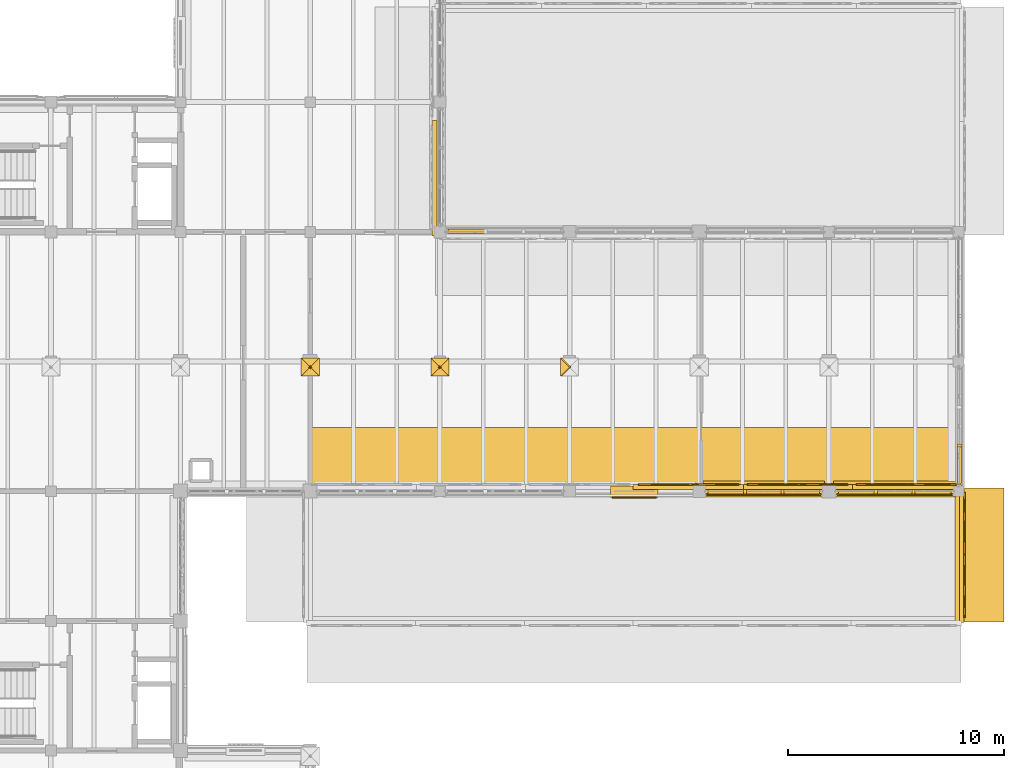
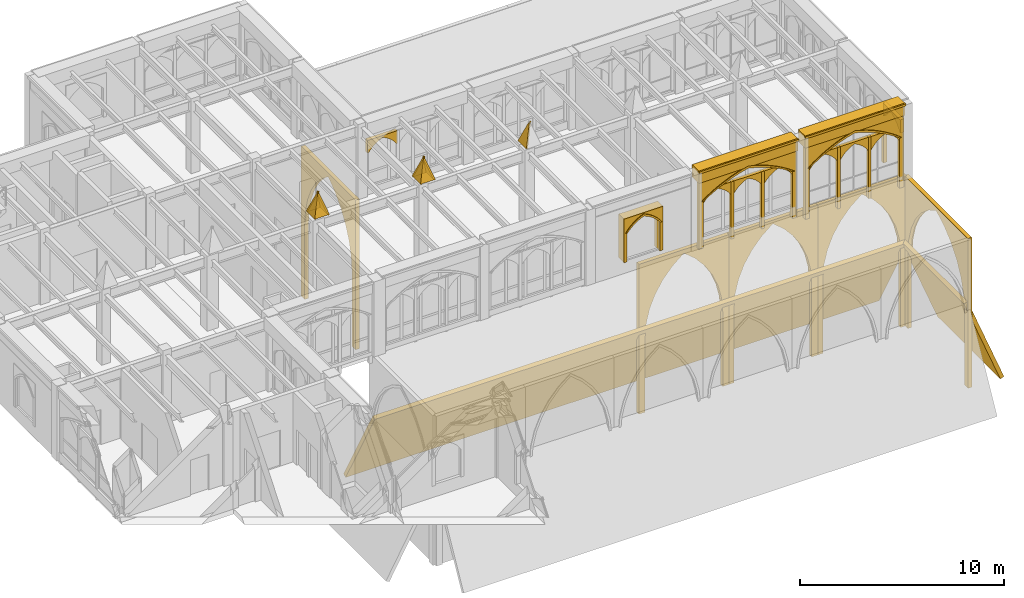
# One storey, part 138 of 143: 43 coverings.
"""IFC4 building model written with IfcOpenShell, lengths in metres."""

from ifc_helpers import new_model, si_unit, direction, frame, origin, origin_2d, place, context, subcontext, project, spatial, polyline, rectangle, outline, extrude, material, type_object, element, save


model = new_model("IFC4")

# Units and contexts
model_context = context("Model", 3, precision=1e-05, world=origin(), true_north=direction((0.0, 1.0)))
body_context = subcontext(model_context, "Body", "Model", "MODEL_VIEW")
ifc_project = project(units=[si_unit("LENGTHUNIT", "METRE"), si_unit("AREAUNIT", "SQUARE_METRE"), si_unit("VOLUMEUNIT", "CUBIC_METRE"), si_unit("PLANEANGLEUNIT", "RADIAN"), si_unit("MASSUNIT", "GRAM", prefix="KILO")], contexts=[model_context])

# Site, building, storey
site_placement = place(None, origin())
site = spatial("IfcSite", under=ifc_project, at=site_placement, CompositionType="ELEMENT")
building_placement = place(site_placement, origin())
building = spatial("IfcBuilding", under=site, at=building_placement, Name="Cumevento Cable Car Station", CompositionType="ELEMENT")
storey_placement = place(building_placement, frame((0.0, 0.0, 9.0)))
storey = spatial("IfcBuildingStorey", under=building, at=storey_placement, Name="L03", CompositionType="ELEMENT", Elevation=9.0)

# Coverings
ifc_material = material(Name="Gnaisse Facoidal Stone Ashlar 85 MPa", Category="masonry")
covering_type = type_object("IfcCoveringType", Name="Gnaisse Ashlar Cladding CV-CL01", PredefinedType="CLADDING", material=ifc_material)
for number, where, z_axis, x_axis, name in (
    (1, (135.580078125, 39.159912109375, 4.8701171875), (0.0, 0.951573760476, 0.30742052367), (1.0, 0.0, 0.0), "Gothic Buttress Pinnacle Spire Facet 1 bt:136.0:39.0"),
    (2, (136.419921875, 39.159912109375, 4.8701171875), (0.951573760476, 0.0, 0.30742052367), (0.0, -1.0, 0.0), "Gothic Buttress Pinnacle Spire Facet 2 bt:136.0:39.0"),
    (3, (136.419921875, 38.320068359375, 4.8701171875), (0.0, -0.951573760476, 0.30742052367), (-1.0, 0.0, 0.0), "Gothic Buttress Pinnacle Spire Facet 3 bt:136.0:39.0"),
    (4, (135.580078125, 38.320068359375, 4.8701171875), (-0.951573760476, 0.0, 0.30742052367), (0.0, 1.0, 0.0), "Gothic Buttress Pinnacle Spire Facet 4 bt:136.0:39.0"),
    (5, (141.580078125, 39.159912109375, 4.8701171875), (0.0, 0.951573760476, 0.30742052367), (1.0, 0.0, 0.0), "Gothic Buttress Pinnacle Spire Facet 1 bt:142.0:39.0"),
    (6, (142.419921875, 39.159912109375, 4.8701171875), (0.951573760476, 0.0, 0.30742052367), (0.0, -1.0, 0.0), "Gothic Buttress Pinnacle Spire Facet 2 bt:142.0:39.0"),
    (7, (142.419921875, 38.320068359375, 4.8701171875), (0.0, -0.951573760476, 0.30742052367), (-1.0, 0.0, 0.0), "Gothic Buttress Pinnacle Spire Facet 3 bt:142.0:39.0"),
    (8, (141.580078125, 38.320068359375, 4.8701171875), (-0.951573760476, 0.0, 0.30742052367), (0.0, 1.0, 0.0), "Gothic Buttress Pinnacle Spire Facet 4 bt:142.0:39.0"),
    (9, (147.580078125, 38.320068359375, 4.8701171875), (-0.951573760476, 0.0, 0.30742052367), (0.0, 1.0, 0.0), "Gothic Buttress Pinnacle Spire Facet 4 bt:148.0:39.0"),
):
    element("IfcCovering", number, at=place(storey_placement, frame(where, z_axis=z_axis, x_axis=x_axis)), inside=storey, type_object=covering_type, Name=name, PredefinedType="CLADDING", context=body_context, shape_type="SweptSolid", body=[
        extrude(outline(polyline([(0.0, 0.0), (0.83984375, 0.0), (0.419921875, -1.3659526370817139), (0.0, 0.0)])), origin(), (0.0, 0.0, -1.0), 0.0849609375),
    ])
covering_1_placement = place(storey_placement, frame((156.987548828125, 33.14990234375, 3.8330078125), z_axis=(0.0, 0.0, 1.0), x_axis=(-1.0, 0.0, 0.0)))
element("IfcCovering", 10, at=covering_1_placement, inside=storey, type_object=covering_type, Name="Gothic Stone Spandrel Stringcourse sc:0683", PredefinedType="CLADDING", context=body_context, shape_type="SweptSolid", body=[
    extrude(rectangle(XDim=5.614990234375, YDim=0.659912109375, at=origin_2d()), origin(), (0.0, 0.0, 1.0), 0.7470703125),
])
covering_2_placement = place(storey_placement, frame((156.987548828125, 32.79248046875, 4.449951171875), z_axis=(0.0, 0.0, 1.0), x_axis=(-1.0, 0.0, 0.0)))
element("IfcCovering", 11, at=covering_2_placement, inside=storey, type_object=covering_type, Name="Gothic Cornice Dripstone Lip sc:0683", PredefinedType="CLADDING", context=body_context, shape_type="SweptSolid", body=[
    extrude(rectangle(XDim=5.655029296875, YDim=0.114990234375, at=origin_2d()), origin(), (0.0, 0.0, 1.0), 0.1298828125),
])
covering_3_placement = place(storey_placement, frame((163.03759765625, 33.14990234375, 3.8330078125), z_axis=(0.0, 0.0, 1.0), x_axis=(-1.0, 0.0, 0.0)))
element("IfcCovering", 12, at=covering_3_placement, inside=storey, type_object=covering_type, Name="Gothic Stone Spandrel Stringcourse sc:0684", PredefinedType="CLADDING", context=body_context, shape_type="SweptSolid", body=[
    extrude(rectangle(XDim=5.6650390625, YDim=0.659912109375, at=origin_2d()), origin(), (0.0, 0.0, 1.0), 0.7470703125),
])
covering_4_placement = place(storey_placement, frame((163.03759765625, 32.79248046875, 4.449951171875), z_axis=(0.0, 0.0, 1.0), x_axis=(-1.0, 0.0, 0.0)))
element("IfcCovering", 13, at=covering_4_placement, inside=storey, type_object=covering_type, Name="Gothic Cornice Dripstone Lip sc:0684", PredefinedType="CLADDING", context=body_context, shape_type="SweptSolid", body=[
    extrude(rectangle(XDim=5.705078125, YDim=0.114990234375, at=origin_2d()), origin(), (0.0, 0.0, 1.0), 0.1298828125),
])
covering_5_placement = place(storey_placement, frame((142.405029296875, 45.0, 2.44384765625), z_axis=(0.0, 0.0, 1.0), x_axis=(1.0, 0.0, 0.0)))
element("IfcCovering", 14, at=covering_5_placement, inside=storey, type_object=covering_type, Name="Gothic Ogival Pointed-Arch Stone Spandrel cw_ogival:0133:sub:0", PredefinedType="CLADDING", context=body_context, shape_type="SweptSolid", body=[
    extrude(outline(polyline([(-0.02001953125, 0.0), (-0.02001953125, 0.76513671875), (1.681640625, 0.76513671875), (1.681640625, 0.0), (1.62158203125, 0.0), (1.5205078125, 0.14013671875), (1.405517578125, 0.26904296875), (1.27734375, 0.38525390625), (1.137939453125, 0.4873046875), (0.988525390625, 0.57421875), (0.830810546875, 0.64501953125), (0.673095703125, 0.57421875), (0.523681640625, 0.4873046875), (0.38427734375, 0.38525390625), (0.256103515625, 0.26904296875), (0.14111328125, 0.14013671875), (0.0400390625, 0.0), (-0.02001953125, 0.0)])), frame((0.0, 0.1240234375, 0.0), z_axis=(0.0, -1.0, 0.0), x_axis=(1.0, 0.0, 0.0)), (0.0, 0.0, 1.0), 0.199951171875),
])
placement_1 = place(storey_placement, frame((159.675048828125, 33.0, -0.159912109375), z_axis=(0.0, 0.0, 1.0), x_axis=(-1.0, 0.0, 0.0)))
element("IfcCovering", 15, at=placement_1, inside=storey, type_object=covering_type, Name="Gothic Ogival Pointed-Arch Stone Spandrel cw_ogival:0135", PredefinedType="CLADDING", context=body_context, shape_type="SweptSolid", body=[
    extrude(outline(polyline([(-0.080078125, 0.0), (-0.080078125, 4.133056640625), (5.455078125, 4.133056640625), (5.455078125, 0.0), (5.215087890625, 0.0), (5.215087890625, 2.838623046875), (4.924072265625, 3.0263671875), (4.62451171875, 3.2001953125), (4.3173828125, 3.35986328125), (4.0029296875, 3.5048828125), (3.681884765625, 3.635009765625), (3.355224609375, 3.749755859375), (3.0234375, 3.84912109375), (2.6875, 3.932861328125), (2.3515625, 3.84912109375), (2.019775390625, 3.749755859375), (1.693115234375, 3.635009765625), (1.3720703125, 3.5048828125), (1.0576171875, 3.35986328125), (0.75048828125, 3.2001953125), (0.450927734375, 3.0263671875), (0.159912109375, 2.838623046875), (0.159912109375, 0.0), (-0.080078125, 0.0)])), frame((0.0, 0.139892578125, 0.0), z_axis=(0.0, -1.0, 0.0), x_axis=(1.0, 0.0, 0.0)), (0.0, 0.0, 1.0), 0.219970703125),
])
covering_7_placement = place(storey_placement, frame((159.675048828125, 33.0, 2.6787109375), z_axis=(0.0, 0.0, 1.0), x_axis=(-1.0, 0.0, 0.0)))
element("IfcCovering", 16, at=covering_7_placement, inside=storey, type_object=covering_type, Name="Gothic Pointed Archivolt Hood Moulding cw_ogival:0135", PredefinedType="CLADDING", context=body_context, shape_type="SweptSolid", body=[
    extrude(outline(polyline([(0.159912109375, 0.0), (0.450927734375, 0.187744140625), (0.75048828125, 0.361572265625), (1.0576171875, 0.521240234375), (1.3720703125, 0.666259765625), (1.693115234375, 0.79638671875), (2.019775390625, 0.9111328125), (2.3515625, 1.010498046875), (2.6875, 1.09423828125), (3.0234375, 1.010498046875), (3.355224609375, 0.9111328125), (3.681884765625, 0.79638671875), (4.0029296875, 0.666259765625), (4.3173828125, 0.521240234375), (4.62451171875, 0.361572265625), (4.924072265625, 0.187744140625), (5.215087890625, 0.0), (5.324951171875, 0.0), (5.025390625, 0.210693359375), (4.715576171875, 0.406005859375), (4.396240234375, 0.585693359375), (4.068359375, 0.748779296875), (3.732666015625, 0.8955078125), (3.39013671875, 1.025146484375), (3.04150390625, 1.13720703125), (2.6875, 1.231689453125), (2.33349609375, 1.13720703125), (1.98486328125, 1.025146484375), (1.642333984375, 0.8955078125), (1.306640625, 0.748779296875), (0.978759765625, 0.585693359375), (0.659423828125, 0.406005859375), (0.349609375, 0.210693359375), (0.050048828125, 0.0), (0.159912109375, 0.0)])), frame((0.0, 0.181884765625, 0.0), z_axis=(0.0, -1.0, 0.0), x_axis=(1.0, 0.0, 0.0)), (0.0, 0.0, 1.0), 0.06689453125),
])
element("IfcCovering", 17, at=placement_1, inside=storey, type_object=covering_type, Name="Gothic Bifora Stone Colonnette cw_ogival:0135 #1", PredefinedType="CLADDING", context=body_context, shape_type="SweptSolid", body=[
    extrude(outline(polyline([(1.7451171875, -0.02001953125), (1.89501953125, -0.02001953125), (1.89501953125, 3.40771484375), (1.7451171875, 3.40771484375), (1.7451171875, -0.02001953125)])), frame((0.0, 0.1279296875, 0.0), z_axis=(0.0, -1.0, 0.0), x_axis=(1.0, 0.0, 0.0)), (0.0, 0.0, 1.0), 0.205078125),
])
element("IfcCovering", 18, at=placement_1, inside=storey, type_object=covering_type, Name="Gothic Bifora Stone Colonnette cw_ogival:0135 #2", PredefinedType="CLADDING", context=body_context, shape_type="SweptSolid", body=[
    extrude(outline(polyline([(3.47998046875, -0.02001953125), (3.6298828125, -0.02001953125), (3.6298828125, 3.40771484375), (3.47998046875, 3.40771484375), (3.47998046875, -0.02001953125)])), frame((0.0, 0.1279296875, 0.0), z_axis=(0.0, -1.0, 0.0), x_axis=(1.0, 0.0, 0.0)), (0.0, 0.0, 1.0), 0.205078125),
])
for number, where, z_axis, x_axis, name in (
    (19, (159.544921875, 33.0, 2.498779296875), (0.0, 0.0, 1.0), (-1.0, 0.0, 0.0), "Gothic Ogival Pointed-Arch Stone Spandrel cw_ogival:0135:sub:0"),
    (20, (157.81005859375, 33.0, 2.498779296875), (0.0, 0.0, 1.0), (-1.0, 0.0, 0.0), "Gothic Ogival Pointed-Arch Stone Spandrel cw_ogival:0135:sub:1"),
    (21, (156.074951171875, 33.0, 2.498779296875), (0.0, 0.0, 1.0), (-1.0, 0.0, 0.0), "Gothic Ogival Pointed-Arch Stone Spandrel cw_ogival:0135:sub:2"),
):
    element("IfcCovering", number, at=place(storey_placement, frame(where, z_axis=z_axis, x_axis=x_axis)), inside=storey, type_object=covering_type, Name=name, PredefinedType="CLADDING", context=body_context, shape_type="SweptSolid", body=[
        extrude(outline(polyline([(-0.02001953125, 0.0), (-0.02001953125, 0.7490234375), (1.6650390625, 0.7490234375), (1.6650390625, 0.0), (1.60498046875, 0.0), (1.50439453125, 0.136962890625), (1.389892578125, 0.2626953125), (1.26318359375, 0.3759765625), (1.125244140625, 0.475341796875), (0.977783203125, 0.56005859375), (0.822509765625, 0.62890625), (0.667236328125, 0.56005859375), (0.519775390625, 0.475341796875), (0.3818359375, 0.3759765625), (0.255126953125, 0.2626953125), (0.140625, 0.136962890625), (0.0400390625, 0.0), (-0.02001953125, 0.0)])), frame((0.0, 0.1240234375, 0.0), z_axis=(0.0, -1.0, 0.0), x_axis=(1.0, 0.0, 0.0)), (0.0, 0.0, 1.0), 0.199951171875),
    ])
placement_2 = place(storey_placement, frame((165.75, 33.0, -0.469970703125), z_axis=(0.0, 0.0, 1.0), x_axis=(-1.0, 0.0, 0.0)))
element("IfcCovering", 22, at=placement_2, inside=storey, type_object=covering_type, Name="Gothic Ogival Pointed-Arch Stone Spandrel cw_ogival:0137", PredefinedType="CLADDING", context=body_context, shape_type="SweptSolid", body=[
    extrude(outline(polyline([(-0.080078125, 0.0), (-0.080078125, 4.443115234375), (5.5048828125, 4.443115234375), (5.5048828125, 0.0), (5.264892578125, 0.0), (5.264892578125, 3.037109375), (4.9755859375, 3.2431640625), (4.67626953125, 3.434326171875), (4.367431640625, 3.610107421875), (4.05029296875, 3.77001953125), (3.725341796875, 3.91357421875), (3.393310546875, 4.04052734375), (3.0556640625, 4.150390625), (2.71240234375, 4.242919921875), (2.369384765625, 4.150390625), (2.03173828125, 4.04052734375), (1.69970703125, 3.91357421875), (1.374755859375, 3.77001953125), (1.0576171875, 3.610107421875), (0.748779296875, 3.434326171875), (0.449462890625, 3.2431640625), (0.159912109375, 3.037109375), (0.159912109375, 0.0), (-0.080078125, 0.0)])), frame((0.0, 0.139892578125, 0.0), z_axis=(0.0, -1.0, 0.0), x_axis=(1.0, 0.0, 0.0)), (0.0, 0.0, 1.0), 0.219970703125),
])
covering_11_placement = place(storey_placement, frame((165.75, 33.0, 2.567138671875), z_axis=(0.0, 0.0, 1.0), x_axis=(-1.0, 0.0, 0.0)))
element("IfcCovering", 23, at=covering_11_placement, inside=storey, type_object=covering_type, Name="Gothic Pointed Archivolt Hood Moulding cw_ogival:0137", PredefinedType="CLADDING", context=body_context, shape_type="SweptSolid", body=[
    extrude(outline(polyline([(0.159912109375, 0.0), (0.449462890625, 0.2060546875), (0.748779296875, 0.397216796875), (1.0576171875, 0.572998046875), (1.374755859375, 0.73291015625), (1.69970703125, 0.87646484375), (2.03173828125, 1.00341796875), (2.369384765625, 1.11328125), (2.71240234375, 1.205810546875), (3.0556640625, 1.11328125), (3.393310546875, 1.00341796875), (3.725341796875, 0.87646484375), (4.05029296875, 0.73291015625), (4.367431640625, 0.572998046875), (4.67626953125, 0.397216796875), (4.9755859375, 0.2060546875), (5.264892578125, 0.0), (5.375, 0.0), (5.0771484375, 0.22900390625), (4.767578125, 0.44140625), (4.447021484375, 0.63720703125), (4.1162109375, 0.8154296875), (3.776611328125, 0.9755859375), (3.4287109375, 1.1171875), (3.07373046875, 1.239990234375), (2.71240234375, 1.343505859375), (2.351318359375, 1.239990234375), (1.996337890625, 1.1171875), (1.6484375, 0.9755859375), (1.308837890625, 0.8154296875), (0.97802734375, 0.63720703125), (0.657470703125, 0.44140625), (0.347900390625, 0.22900390625), (0.050048828125, 0.0), (0.159912109375, 0.0)])), frame((0.0, 0.181884765625, 0.0), z_axis=(0.0, -1.0, 0.0), x_axis=(1.0, 0.0, 0.0)), (0.0, 0.0, 1.0), 0.06689453125),
])
element("IfcCovering", 24, at=placement_2, inside=storey, type_object=covering_type, Name="Gothic Bifora Stone Colonnette cw_ogival:0137 #1", PredefinedType="CLADDING", context=body_context, shape_type="SweptSolid", body=[
    extrude(outline(polyline([(1.76171875, -0.02001953125), (1.91162109375, -0.02001953125), (1.91162109375, 3.664306640625), (1.76171875, 3.664306640625), (1.76171875, -0.02001953125)])), frame((0.0, 0.1279296875, 0.0), z_axis=(0.0, -1.0, 0.0), x_axis=(1.0, 0.0, 0.0)), (0.0, 0.0, 1.0), 0.205078125),
])
element("IfcCovering", 25, at=placement_2, inside=storey, type_object=covering_type, Name="Gothic Bifora Stone Colonnette cw_ogival:0137 #2", PredefinedType="CLADDING", context=body_context, shape_type="SweptSolid", body=[
    extrude(outline(polyline([(3.513427734375, -0.02001953125), (3.663330078125, -0.02001953125), (3.663330078125, 3.664306640625), (3.513427734375, 3.664306640625), (3.513427734375, -0.02001953125)])), frame((0.0, 0.1279296875, 0.0), z_axis=(0.0, -1.0, 0.0), x_axis=(1.0, 0.0, 0.0)), (0.0, 0.0, 1.0), 0.205078125),
])
for number, where, z_axis, x_axis, name in (
    (26, (165.6201171875, 33.0, 2.38720703125), (0.0, 0.0, 1.0), (-1.0, 0.0, 0.0), "Gothic Ogival Pointed-Arch Stone Spandrel cw_ogival:0137:sub:0"),
    (27, (163.868408203125, 33.0, 2.38720703125), (0.0, 0.0, 1.0), (-1.0, 0.0, 0.0), "Gothic Ogival Pointed-Arch Stone Spandrel cw_ogival:0137:sub:1"),
    (28, (162.11669921875, 33.0, 2.38720703125), (0.0, 0.0, 1.0), (-1.0, 0.0, 0.0), "Gothic Ogival Pointed-Arch Stone Spandrel cw_ogival:0137:sub:2"),
):
    element("IfcCovering", number, at=place(storey_placement, frame(where, z_axis=z_axis, x_axis=x_axis)), inside=storey, type_object=covering_type, Name=name, PredefinedType="CLADDING", context=body_context, shape_type="SweptSolid", body=[
        extrude(outline(polyline([(-0.02001953125, 0.0), (-0.02001953125, 0.80712890625), (1.681640625, 0.80712890625), (1.681640625, 0.0), (1.62158203125, 0.0), (1.52392578125, 0.1484375), (1.410888671875, 0.285400390625), (1.283203125, 0.4091796875), (1.142822265625, 0.518310546875), (0.991455078125, 0.611328125), (0.830810546875, 0.68701171875), (0.670166015625, 0.611328125), (0.518798828125, 0.518310546875), (0.37841796875, 0.4091796875), (0.250732421875, 0.285400390625), (0.1376953125, 0.1484375), (0.0400390625, 0.0), (-0.02001953125, 0.0)])), frame((0.0, 0.1240234375, 0.0), z_axis=(0.0, -1.0, 0.0), x_axis=(1.0, 0.0, 0.0)), (0.0, 0.0, 1.0), 0.199951171875),
    ])
covering_14_placement = place(storey_placement, frame((166.0, 38.75, -0.3701171875), z_axis=(0.0, 0.0, 1.0), x_axis=(0.0, -1.0, 0.0)))
element("IfcCovering", 29, at=covering_14_placement, inside=storey, type_object=covering_type, Name="Gothic Bifora Stone Colonnette cw_ogival:0139 #2", PredefinedType="CLADDING", context=body_context, shape_type="SweptSolid", body=[
    extrude(outline(polyline([(3.563232421875, -0.02001953125), (3.71337890625, -0.02001953125), (3.71337890625, 3.581298828125), (3.563232421875, 3.581298828125), (3.563232421875, -0.02001953125)])), frame((0.0, 0.1279296875, 0.0), z_axis=(0.0, -1.0, 0.0), x_axis=(1.0, 0.0, 0.0)), (0.0, 0.0, 1.0), 0.205078125),
])
covering_15_placement = place(storey_placement, frame((166.0, 35.066650390625, 2.423095703125), z_axis=(0.0, 0.0, 1.0), x_axis=(0.0, -1.0, 0.0)))
element("IfcCovering", 30, at=covering_15_placement, inside=storey, type_object=covering_type, Name="Gothic Ogival Pointed-Arch Stone Spandrel cw_ogival:0139:sub:2", PredefinedType="CLADDING", context=body_context, shape_type="SweptSolid", body=[
    extrude(outline(polyline([(-0.02001953125, 0.0), (-0.02001953125, 0.788330078125), (1.706787109375, 0.788330078125), (1.706787109375, 0.0), (1.646728515625, 0.0), (1.545166015625, 0.14501953125), (1.4287109375, 0.278564453125), (1.298828125, 0.39892578125), (1.156982421875, 0.504638671875), (1.004638671875, 0.5947265625), (0.84326171875, 0.668212890625), (0.68212890625, 0.5947265625), (0.52978515625, 0.504638671875), (0.387939453125, 0.39892578125), (0.258056640625, 0.278564453125), (0.1416015625, 0.14501953125), (0.0400390625, 0.0), (-0.02001953125, 0.0)])), frame((0.0, 0.1240234375, 0.0), z_axis=(0.0, -1.0, 0.0), x_axis=(1.0, 0.0, 0.0)), (0.0, 0.0, 1.0), 0.199951171875),
])
covering_16_placement = place(storey_placement, frame((152.052490234375, 33.0, 0.64990234375), z_axis=(0.0, 0.0, 1.0), x_axis=(-1.0, 0.0, 0.0)))
element("IfcCovering", 31, at=covering_16_placement, inside=storey, type_object=covering_type, Name="Gothic Ogival Pointed-Arch Stone Spandrel op_ogival:0258:1", PredefinedType="CLADDING", context=body_context, shape_type="SweptSolid", body=[
    extrude(outline(polyline([(-0.0400390625, 0.0), (-0.0400390625, 2.6201171875), (2.169921875, 2.6201171875), (2.169921875, 0.0), (1.989990234375, 0.0), (1.989990234375, 1.741943359375), (1.8857421875, 1.87353515625), (1.7705078125, 1.99609375), (1.6455078125, 2.108154296875), (1.511474609375, 2.20947265625), (1.369384765625, 2.298828125), (1.22021484375, 2.375732421875), (1.06494140625, 2.43994140625), (0.90966796875, 2.375732421875), (0.760498046875, 2.298828125), (0.618408203125, 2.20947265625), (0.484375, 2.108154296875), (0.359375, 1.99609375), (0.244140625, 1.87353515625), (0.139892578125, 1.741943359375), (0.139892578125, 0.0), (-0.0400390625, 0.0)])), frame((0.0, 0.282958984375, 0.0), z_axis=(0.0, -1.0, 0.0), x_axis=(1.0, 0.0, 0.0)), (0.0, 0.0, 1.0), 0.52001953125),
])
covering_17_placement = place(storey_placement, frame((152.052490234375, 33.0, 2.39208984375), z_axis=(0.0, 0.0, 1.0), x_axis=(-1.0, 0.0, 0.0)))
element("IfcCovering", 32, at=covering_17_placement, inside=storey, type_object=covering_type, Name="Gothic Pointed Archivolt Hood Moulding op_ogival:0258:1", PredefinedType="CLADDING", context=body_context, shape_type="SweptSolid", body=[
    extrude(outline(polyline([(0.139892578125, 0.0), (0.244140625, 0.131591796875), (0.359375, 0.254150390625), (0.484375, 0.3662109375), (0.618408203125, 0.467529296875), (0.760498046875, 0.556884765625), (0.90966796875, 0.6337890625), (1.06494140625, 0.697998046875), (1.22021484375, 0.6337890625), (1.369384765625, 0.556884765625), (1.511474609375, 0.467529296875), (1.6455078125, 0.3662109375), (1.7705078125, 0.254150390625), (1.8857421875, 0.131591796875), (1.989990234375, 0.0), (2.089111328125, 0.0), (1.97705078125, 0.154296875), (1.851806640625, 0.2978515625), (1.71435546875, 0.429931640625), (1.565673828125, 0.549072265625), (1.406982421875, 0.65478515625), (1.23974609375, 0.745849609375), (1.06494140625, 0.82177734375), (0.89013671875, 0.745849609375), (0.722900390625, 0.65478515625), (0.564208984375, 0.549072265625), (0.41552734375, 0.429931640625), (0.278076171875, 0.2978515625), (0.15283203125, 0.154296875), (0.041015625, 0.0), (0.139892578125, 0.0)])), frame((0.0, 0.324951171875, 0.0), z_axis=(0.0, -1.0, 0.0), x_axis=(1.0, 0.0, 0.0)), (0.0, 0.0, 1.0), 0.06689453125),
])
covering_18_placement = place(storey_placement, frame((141.800048828125, 44.85009765625, -9.02001953125), z_axis=(0.0, 0.0, 1.0), x_axis=(0.0, 1.0, 0.0)))
element("IfcCovering", 33, at=covering_18_placement, inside=storey, type_object=covering_type, Name="Gothic Ogival Pointed-Arch Stone Spandrel cumevento_plinth:bank_arch:SLOPE_DEP_N:W:1", PredefinedType="CLADDING", context=body_context, shape_type="SweptSolid", body=[
    extrude(outline(polyline([(-0.030029296875, 0.0), (-0.030029296875, 8.97998046875), (5.304931640625, 8.97998046875), (5.304931640625, 0.0), (4.955078125, 0.0), (4.955078125, 4.47998046875), (4.885009765625, 5.321533203125), (4.677734375, 6.14013671875), (4.33837890625, 6.91357421875), (3.876220703125, 7.620361328125), (3.303955078125, 8.241455078125), (2.637451171875, 8.760009765625), (1.970947265625, 8.241455078125), (1.398681640625, 7.620361328125), (0.9365234375, 6.91357421875), (0.59716796875, 6.14013671875), (0.389892578125, 5.321533203125), (0.320068359375, 4.47998046875), (0.320068359375, 0.0), (-0.030029296875, 0.0)])), frame((0.0, 0.159912109375, 0.0), z_axis=(0.0, -1.0, 0.0), x_axis=(1.0, 0.0, 0.0)), (0.0, 0.0, 1.0), 0.219970703125),
])
covering_19_placement = place(storey_placement, frame((166.10009765625, 33.14990234375, -9.02001953125), z_axis=(0.0, 0.0, 1.0), x_axis=(0.0, -1.0, 0.0)))
element("IfcCovering", 34, at=covering_19_placement, inside=storey, type_object=covering_type, Name="Gothic Ogival Pointed-Arch Stone Spandrel cumevento_plinth:bank_arch:SLOPE_DEP_S2:E:0", PredefinedType="CLADDING", context=body_context, shape_type="SweptSolid", body=[
    extrude(outline(polyline([(-0.030029296875, 0.0), (-0.030029296875, 8.97998046875), (6.22998046875, 8.97998046875), (6.22998046875, 0.0), (5.8798828125, 0.0), (5.8798828125, 4.47998046875), (5.7939453125, 5.3740234375), (5.538818359375, 6.235107421875), (5.1240234375, 7.03173828125), (4.564697265625, 7.734619140625), (3.8818359375, 8.31787109375), (3.10009765625, 8.760009765625), (2.318115234375, 8.31787109375), (1.63525390625, 7.734619140625), (1.075927734375, 7.03173828125), (0.6611328125, 6.235107421875), (0.406005859375, 5.3740234375), (0.320068359375, 4.47998046875), (0.320068359375, 0.0), (-0.030029296875, 0.0)])), frame((0.0, 0.159912109375, 0.0), z_axis=(0.0, -1.0, 0.0), x_axis=(1.0, 0.0, 0.0)), (0.0, 0.0, 1.0), 0.219970703125),
])
covering_20_placement = place(storey_placement, frame((166.10009765625, 33.14990234375, -4.5400390625), z_axis=(0.0, 0.0, 1.0), x_axis=(0.0, -1.0, 0.0)))
element("IfcCovering", 35, at=covering_20_placement, inside=storey, type_object=covering_type, Name="Gothic Pointed Archivolt Hood Moulding cumevento_plinth:bank_arch:SLOPE_DEP_S2:E:0", PredefinedType="CLADDING", context=body_context, shape_type="SweptSolid", body=[
    extrude(outline(polyline([(0.320068359375, 0.0), (0.406005859375, 0.89404296875), (0.6611328125, 1.755126953125), (1.075927734375, 2.5517578125), (1.63525390625, 3.254638671875), (2.318115234375, 3.837890625), (3.10009765625, 4.280029296875), (3.8818359375, 3.837890625), (4.564697265625, 3.254638671875), (5.1240234375, 2.5517578125), (5.538818359375, 1.755126953125), (5.7939453125, 0.89404296875), (5.8798828125, 0.0), (6.0009765625, 0.0), (5.910888671875, 0.928466796875), (5.64453125, 1.822265625), (5.211181640625, 2.648193359375), (4.62744140625, 3.375732421875), (3.914794921875, 3.9775390625), (3.10009765625, 4.43115234375), (2.28515625, 3.9775390625), (1.572509765625, 3.375732421875), (0.98876953125, 2.648193359375), (0.555419921875, 1.822265625), (0.2890625, 0.928466796875), (0.198974609375, 0.0), (0.320068359375, 0.0)])), frame((0.0, 0.201904296875, 0.0), z_axis=(0.0, -1.0, 0.0), x_axis=(1.0, 0.0, 0.0)), (0.0, 0.0, 1.0), 0.06689453125),
])
covering_21_placement = place(storey_placement, frame((168.10009765625, 26.949951171875, -9.0400390625), z_axis=(0.930030307606, 0.0, 0.367482825361), x_axis=(0.0, 1.0, 0.0)))
element("IfcCovering", 36, at=covering_21_placement, inside=storey, type_object=covering_type, Name="Sloped Gnaisse Hillside Talus SLOPE_DEP_S2 E", PredefinedType="CLADDING", context=body_context, shape_type="SweptSolid", body=[
    extrude(outline(polyline([(0.0, 0.0), (6.199951171875, 0.0), (6.199951171875, 5.605863598464502), (0.0, 5.605863598464502), (0.0, 0.0)])), origin(), (0.0, 0.0, -1.0), 0.219970703125),
])
covering_22_placement = place(storey_placement, frame((161.058349609375, 33.14990234375, -9.02001953125), z_axis=(0.0, 0.0, 1.0), x_axis=(1.0, 0.0, 0.0)))
element("IfcCovering", 37, at=covering_22_placement, inside=storey, type_object=covering_type, Name="Gothic Ogival Pointed-Arch Stone Spandrel cumevento_plinth:bank_arch:SLOPE_DEP_S2:N:0", PredefinedType="CLADDING", context=body_context, shape_type="SweptSolid", body=[
    extrude(outline(polyline([(-0.030029296875, 0.0), (-0.030029296875, 8.97998046875), (5.07177734375, 8.97998046875), (5.07177734375, 0.0), (4.7216796875, 0.0), (4.7216796875, 4.47998046875), (4.656005859375, 5.3095703125), (4.460205078125, 6.118408203125), (4.139404296875, 6.88623046875), (3.701416015625, 7.593994140625), (3.157470703125, 8.223876953125), (2.520751953125, 8.760009765625), (1.88427734375, 8.223876953125), (1.34033203125, 7.593994140625), (0.90234375, 6.88623046875), (0.58154296875, 6.118408203125), (0.3857421875, 5.3095703125), (0.320068359375, 4.47998046875), (0.320068359375, 0.0), (-0.030029296875, 0.0)])), frame((0.0, 0.159912109375, 0.0), z_axis=(0.0, -1.0, 0.0), x_axis=(1.0, 0.0, 0.0)), (0.0, 0.0, 1.0), 0.219970703125),
])
covering_23_placement = place(storey_placement, frame((161.058349609375, 33.14990234375, -4.5400390625), z_axis=(0.0, 0.0, 1.0), x_axis=(1.0, 0.0, 0.0)))
element("IfcCovering", 38, at=covering_23_placement, inside=storey, type_object=covering_type, Name="Gothic Pointed Archivolt Hood Moulding cumevento_plinth:bank_arch:SLOPE_DEP_S2:N:0", PredefinedType="CLADDING", context=body_context, shape_type="SweptSolid", body=[
    extrude(outline(polyline([(0.320068359375, 0.0), (0.3857421875, 0.82958984375), (0.58154296875, 1.638427734375), (0.90234375, 2.40625), (1.34033203125, 3.114013671875), (1.88427734375, 3.743896484375), (2.520751953125, 4.280029296875), (3.157470703125, 3.743896484375), (3.701416015625, 3.114013671875), (4.139404296875, 2.40625), (4.460205078125, 1.638427734375), (4.656005859375, 0.82958984375), (4.7216796875, 0.0), (4.8427734375, 0.0), (4.773193359375, 0.86328125), (4.566162109375, 1.704345703125), (4.22705078125, 2.50146484375), (3.764892578125, 3.233642578125), (3.191162109375, 3.882568359375), (2.520751953125, 4.43115234375), (1.8505859375, 3.882568359375), (1.27685546875, 3.233642578125), (0.814697265625, 2.50146484375), (0.4755859375, 1.704345703125), (0.2685546875, 0.86328125), (0.198974609375, 0.0), (0.320068359375, 0.0)])), frame((0.0, 0.201904296875, 0.0), z_axis=(0.0, -1.0, 0.0), x_axis=(1.0, 0.0, 0.0)), (0.0, 0.0, 1.0), 0.06689453125),
])
covering_24_placement = place(storey_placement, frame((156.0166015625, 33.14990234375, -9.02001953125), z_axis=(0.0, 0.0, 1.0), x_axis=(1.0, 0.0, 0.0)))
element("IfcCovering", 39, at=covering_24_placement, inside=storey, type_object=covering_type, Name="Gothic Ogival Pointed-Arch Stone Spandrel cumevento_plinth:bank_arch:SLOPE_DEP_S2:N:1", PredefinedType="CLADDING", context=body_context, shape_type="SweptSolid", body=[
    extrude(outline(polyline([(-0.030029296875, 0.0), (-0.030029296875, 8.97998046875), (5.07177734375, 8.97998046875), (5.07177734375, 0.0), (4.7216796875, 0.0), (4.7216796875, 4.47998046875), (4.656005859375, 5.3095703125), (4.460205078125, 6.118408203125), (4.139404296875, 6.88623046875), (3.701416015625, 7.593994140625), (3.157470703125, 8.223876953125), (2.520751953125, 8.760009765625), (1.88427734375, 8.223876953125), (1.34033203125, 7.593994140625), (0.90234375, 6.88623046875), (0.58154296875, 6.118408203125), (0.3857421875, 5.3095703125), (0.320068359375, 4.47998046875), (0.320068359375, 0.0), (-0.030029296875, 0.0)])), frame((0.0, 0.159912109375, 0.0), z_axis=(0.0, -1.0, 0.0), x_axis=(1.0, 0.0, 0.0)), (0.0, 0.0, 1.0), 0.219970703125),
])
covering_25_placement = place(storey_placement, frame((156.0166015625, 33.14990234375, -4.5400390625), z_axis=(0.0, 0.0, 1.0), x_axis=(1.0, 0.0, 0.0)))
element("IfcCovering", 40, at=covering_25_placement, inside=storey, type_object=covering_type, Name="Gothic Pointed Archivolt Hood Moulding cumevento_plinth:bank_arch:SLOPE_DEP_S2:N:1", PredefinedType="CLADDING", context=body_context, shape_type="SweptSolid", body=[
    extrude(outline(polyline([(0.320068359375, 0.0), (0.3857421875, 0.82958984375), (0.58154296875, 1.638427734375), (0.90234375, 2.40625), (1.34033203125, 3.114013671875), (1.88427734375, 3.743896484375), (2.520751953125, 4.280029296875), (3.157470703125, 3.743896484375), (3.701416015625, 3.114013671875), (4.139404296875, 2.40625), (4.460205078125, 1.638427734375), (4.656005859375, 0.82958984375), (4.7216796875, 0.0), (4.8427734375, 0.0), (4.773193359375, 0.86328125), (4.566162109375, 1.704345703125), (4.22705078125, 2.50146484375), (3.764892578125, 3.233642578125), (3.191162109375, 3.882568359375), (2.520751953125, 4.43115234375), (1.8505859375, 3.882568359375), (1.27685546875, 3.233642578125), (0.814697265625, 2.50146484375), (0.4755859375, 1.704345703125), (0.2685546875, 0.86328125), (0.198974609375, 0.0), (0.320068359375, 0.0)])), frame((0.0, 0.201904296875, 0.0), z_axis=(0.0, -1.0, 0.0), x_axis=(1.0, 0.0, 0.0)), (0.0, 0.0, 1.0), 0.06689453125),
])
covering_26_placement = place(storey_placement, frame((150.97509765625, 33.14990234375, -9.02001953125), z_axis=(0.0, 0.0, 1.0), x_axis=(1.0, 0.0, 0.0)))
element("IfcCovering", 41, at=covering_26_placement, inside=storey, type_object=covering_type, Name="Gothic Ogival Pointed-Arch Stone Spandrel cumevento_plinth:bank_arch:SLOPE_DEP_S2:N:2", PredefinedType="CLADDING", context=body_context, shape_type="SweptSolid", body=[
    extrude(outline(polyline([(-0.030029296875, 0.0), (-0.030029296875, 8.97998046875), (5.07177734375, 8.97998046875), (5.07177734375, 0.0), (4.7216796875, 0.0), (4.7216796875, 4.47998046875), (4.656005859375, 5.3095703125), (4.460205078125, 6.118408203125), (4.139404296875, 6.88623046875), (3.701416015625, 7.593994140625), (3.157470703125, 8.223876953125), (2.520751953125, 8.760009765625), (1.88427734375, 8.223876953125), (1.34033203125, 7.593994140625), (0.90234375, 6.88623046875), (0.58154296875, 6.118408203125), (0.3857421875, 5.3095703125), (0.320068359375, 4.47998046875), (0.320068359375, 0.0), (-0.030029296875, 0.0)])), frame((0.0, 0.159912109375, 0.0), z_axis=(0.0, -1.0, 0.0), x_axis=(1.0, 0.0, 0.0)), (0.0, 0.0, 1.0), 0.219970703125),
])
covering_27_placement = place(storey_placement, frame((150.97509765625, 33.14990234375, -4.5400390625), z_axis=(0.0, 0.0, 1.0), x_axis=(1.0, 0.0, 0.0)))
element("IfcCovering", 42, at=covering_27_placement, inside=storey, type_object=covering_type, Name="Gothic Pointed Archivolt Hood Moulding cumevento_plinth:bank_arch:SLOPE_DEP_S2:N:2", PredefinedType="CLADDING", context=body_context, shape_type="SweptSolid", body=[
    extrude(outline(polyline([(0.320068359375, 0.0), (0.3857421875, 0.82958984375), (0.58154296875, 1.638427734375), (0.90234375, 2.40625), (1.34033203125, 3.114013671875), (1.88427734375, 3.743896484375), (2.520751953125, 4.280029296875), (3.157470703125, 3.743896484375), (3.701416015625, 3.114013671875), (4.139404296875, 2.40625), (4.460205078125, 1.638427734375), (4.656005859375, 0.82958984375), (4.7216796875, 0.0), (4.8427734375, 0.0), (4.773193359375, 0.86328125), (4.566162109375, 1.704345703125), (4.22705078125, 2.50146484375), (3.764892578125, 3.233642578125), (3.191162109375, 3.882568359375), (2.520751953125, 4.43115234375), (1.8505859375, 3.882568359375), (1.27685546875, 3.233642578125), (0.814697265625, 2.50146484375), (0.4755859375, 1.704345703125), (0.2685546875, 0.86328125), (0.198974609375, 0.0), (0.320068359375, 0.0)])), frame((0.0, 0.201904296875, 0.0), z_axis=(0.0, -1.0, 0.0), x_axis=(1.0, 0.0, 0.0)), (0.0, 0.0, 1.0), 0.06689453125),
])
covering_28_placement = place(storey_placement, frame((166.10009765625, 35.949951171875, -9.0400390625), z_axis=(0.0, 0.876757124685, 0.480933409439), x_axis=(-1.0, 0.0, 0.0)))
element("IfcCovering", 43, at=covering_28_placement, inside=storey, type_object=covering_type, Name="Sloped Gnaisse Hillside Talus SLOPE_DEP_S2 N", PredefinedType="CLADDING", context=body_context, shape_type="SweptSolid", body=[
    extrude(outline(polyline([(0.0, 0.0), (30.25, 0.0), (30.25, 5.946484950148968), (0.0, 5.946484950148968), (0.0, 0.0)])), origin(), (0.0, 0.0, -1.0), 0.219970703125),
])

save(model, "model.ifc")
